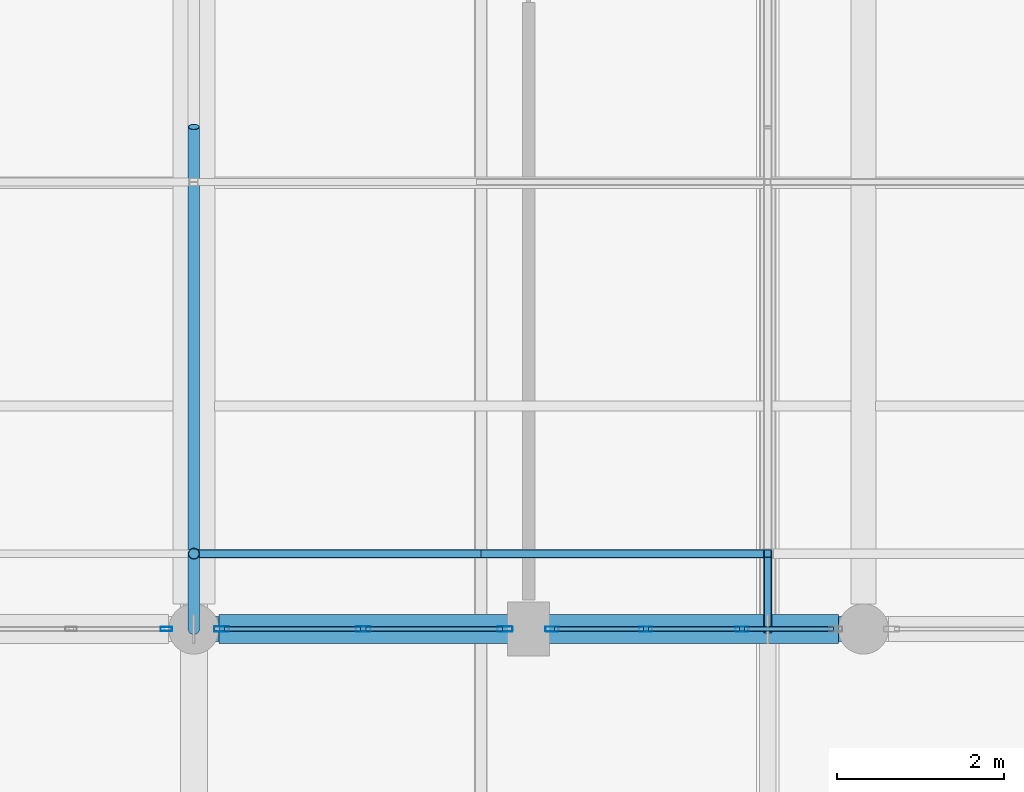
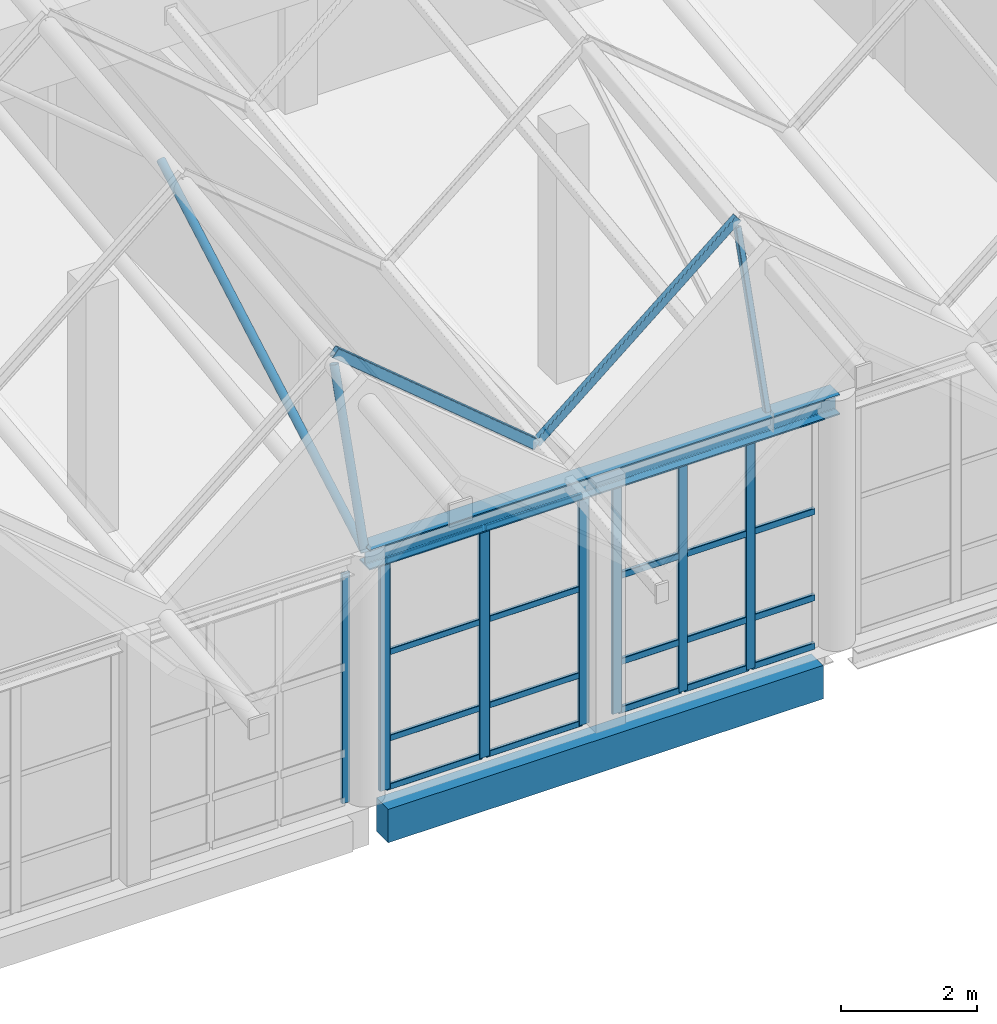
# One storey, part 73 of 183: 32 members, 2 beams, 3 elements without a shape of their own.
"""IFC4 building model written with IfcOpenShell, lengths in metres."""

from ifc_helpers import new_model, si_unit, direction, frame, origin, origin_2d, place, context, subcontext, project, spatial, rectangle, hollow_rectangle, hollow_circle, i_section, extrude, material, material_profile, profile_set, type_object, element, aggregate, save


model = new_model("IFC4")

# Units and contexts
model_context = context("Model", 3, precision=1e-05, world=origin(), true_north=direction((0.0, 1.0)))
body_context = subcontext(model_context, "Body", "Model", "MODEL_VIEW")
ifc_project = project(units=[si_unit("LENGTHUNIT", "METRE"), si_unit("AREAUNIT", "SQUARE_METRE"), si_unit("VOLUMEUNIT", "CUBIC_METRE"), si_unit("PLANEANGLEUNIT", "RADIAN"), si_unit("MASSUNIT", "GRAM", prefix="KILO")], contexts=[model_context])

# Site, building, storey
site_placement = place(None, origin())
site = spatial("IfcSite", under=ifc_project, at=site_placement, CompositionType="ELEMENT")
building_placement = place(site_placement, origin())
building = spatial("IfcBuilding", under=site, at=building_placement, Name="Luwemba Playhouse", CompositionType="ELEMENT")
storey_placement = place(building_placement, frame((0.0, 0.0, 4.800048828125)))
storey = spatial("IfcBuildingStorey", under=building, at=storey_placement, Name="L01", CompositionType="ELEMENT", Elevation=4.800048828125)

# Beams
ifc_material_1 = material(Name="Steel S355", Category="steel")
ifc_material_profile_1 = material_profile(ifc_material_1, i_section(OverallWidth=0.300048828125, OverallDepth=0.360107421875, WebThickness=0.012451171875, FlangeThickness=0.0224609375, FilletRadius=0.027099609375, at=origin_2d()))
ifc_profile_set_1 = profile_set([ifc_material_profile_1], Name="Steel S355")
beam_type_1 = type_object("IfcBeamType", Name="BM-SB09", PredefinedType="BEAM", material=ifc_profile_set_1)
beam_1_placement = place(storey_placement, frame((148.0, 3.0, 4.320068359375), z_axis=(1.0, 0.0, 0.0), x_axis=(0.0, 1.0, 0.0)))
element("IfcBeam", 1, at=beam_1_placement, inside=storey, type_object=beam_type_1, Name="RF-V5E eave ring beam 0294", PredefinedType="BEAM", context=body_context, shape_type="SweptSolid", body=[
    extrude(i_section(OverallWidth=0.300048828125, OverallDepth=0.360107421875, WebThickness=0.012451171875, FlangeThickness=0.0224609375, FilletRadius=0.027099609375, at=origin_2d()), origin(), (0.0, 0.0, 1.0), 8.0),
])
ifc_material_2 = material(Name="Concrete C40/50", Category="concrete")
ifc_material_profile_2 = material_profile(ifc_material_2, rectangle(XDim=0.35009765625, YDim=0.60009765625, at=origin_2d()))
ifc_profile_set_2 = profile_set([ifc_material_profile_2], Name="Concrete C40/50")
beam_type_2 = type_object("IfcBeamType", Name="BM-SP3", PredefinedType="SPANDREL", material=ifc_profile_set_2)
beam_2_placement = place(storey_placement, frame((148.300048828125, 3.0, -0.550048828125), z_axis=(1.0, 0.0, 0.0), x_axis=(0.0, 1.0, 0.0)))
element("IfcBeam", 2, at=beam_2_placement, inside=storey, type_object=beam_type_2, Name="L01 grid girder 0522", PredefinedType="SPANDREL", context=body_context, shape_type="SweptSolid", body=[
    extrude(rectangle(XDim=0.35009765625, YDim=0.60009765625, at=origin_2d()), origin(), (0.0, 0.0, 1.0), 7.39990234375),
])

# Curtain wall, members
ifc_material_3 = material(Name="Solar-control double glazing", Category="glass")
curtain_wall_type_1 = type_object("IfcCurtainWallType", Name="CW-CW132", PredefinedType="USERDEFINED", material=ifc_material_3)
curtain_wall_1_placement = place(storey_placement, origin())
curtain_wall_1 = element("IfcCurtainWall", 3, at=curtain_wall_1_placement, inside=storey, type_object=curtain_wall_type_1, Name="L01 V5E unitised curtain wall 174", ObjectType="UNITISED GLAZING", PredefinedType="USERDEFINED")
ifc_material_4 = material(Name="Aluminium 6063-T6", Category="aluminium")
ifc_material_profile_3 = material_profile(ifc_material_4, hollow_rectangle(XDim=0.06005859375, YDim=0.159912109375, WallThickness=0.00390625, InnerFilletRadius=0.006103515625, OuterFilletRadius=0.010009765625, at=origin_2d()))
ifc_profile_set_3 = profile_set([ifc_material_profile_3], Name="Aluminium 6063-T6")
member_type_1 = type_object("IfcMemberType", Name="CWM-M1", PredefinedType="MULLION", material=ifc_profile_set_3)
member_1_placement = place(storey_placement, frame((154.550048828125, 3.0, 0.0), z_axis=(0.0, 0.0, 1.0), x_axis=(0.0, -1.0, 0.0)))
member_1 = element("IfcMember", 4, at=member_1_placement, type_object=member_type_1, Name="CW132 mullion 2", PredefinedType="MULLION", context=body_context, shape_type="SweptSolid", body=[
    extrude(hollow_rectangle(XDim=0.06005859375, YDim=0.159912109375, WallThickness=0.00390625, InnerFilletRadius=0.006103515625, OuterFilletRadius=0.010009765625, at=origin_2d()), origin(), (0.0, 0.0, 1.0), 4.125),
])
member_2_placement = place(storey_placement, frame((153.39990234375, 3.0, 0.0), z_axis=(0.0, 0.0, 1.0), x_axis=(0.0, -1.0, 0.0)))
member_2 = element("IfcMember", 5, at=member_2_placement, type_object=member_type_1, Name="CW132 mullion 3", PredefinedType="MULLION", context=body_context, shape_type="SweptSolid", body=[
    extrude(hollow_rectangle(XDim=0.06005859375, YDim=0.159912109375, WallThickness=0.00390625, InnerFilletRadius=0.006103515625, OuterFilletRadius=0.010009765625, at=origin_2d()), origin(), (0.0, 0.0, 1.0), 4.125),
])
member_3_placement = place(storey_placement, frame((152.280029296875, 3.0, 0.0), z_axis=(0.0, 0.0, 1.0), x_axis=(0.0, -1.0, 0.0)))
member_3 = element("IfcMember", 6, at=member_3_placement, type_object=member_type_1, Name="CW132 mullion 4", PredefinedType="MULLION", context=body_context, shape_type="SweptSolid", body=[
    extrude(hollow_rectangle(XDim=0.06005859375, YDim=0.159912109375, WallThickness=0.00390625, InnerFilletRadius=0.006103515625, OuterFilletRadius=0.010009765625, at=origin_2d()), origin(), (0.0, 0.0, 1.0), 4.125),
])

curtain_wall_type_2 = type_object("IfcCurtainWallType", Name="CW-CW133", PredefinedType="USERDEFINED", material=ifc_material_3)
curtain_wall_2_placement = place(storey_placement, origin())
curtain_wall_2 = element("IfcCurtainWall", 7, at=curtain_wall_2_placement, inside=storey, type_object=curtain_wall_type_2, Name="L01 V5E unitised curtain wall 175", ObjectType="UNITISED GLAZING", PredefinedType="USERDEFINED")
ifc_material_profile_4 = material_profile(ifc_material_4, hollow_rectangle(XDim=0.06494140625, YDim=0.179931640625, WallThickness=0.00439453125, InnerFilletRadius=0.0068359375, OuterFilletRadius=0.01123046875, at=origin_2d()))
ifc_profile_set_4 = profile_set([ifc_material_profile_4], Name="Aluminium 6063-T6")
member_type_2 = type_object("IfcMemberType", Name="CWM-M2", PredefinedType="MULLION", material=ifc_profile_set_4)
member_4_placement = place(storey_placement, frame((151.717529296875, 3.0, 0.0), z_axis=(0.0, 0.0, 1.0), x_axis=(0.0, -1.0, 0.0)))
member_4 = element("IfcMember", 8, at=member_4_placement, type_object=member_type_2, Name="CW133 mullion 1", PredefinedType="MULLION", context=body_context, shape_type="SweptSolid", body=[
    extrude(hollow_rectangle(XDim=0.06494140625, YDim=0.179931640625, WallThickness=0.00439453125, InnerFilletRadius=0.0068359375, OuterFilletRadius=0.01123046875, at=origin_2d()), origin(), (0.0, 0.0, 1.0), 4.125),
])
member_5_placement = place(storey_placement, frame((150.02490234375, 3.0, 0.0), z_axis=(0.0, 0.0, 1.0), x_axis=(0.0, -1.0, 0.0)))
member_5 = element("IfcMember", 9, at=member_5_placement, type_object=member_type_2, Name="CW133 mullion 2", PredefinedType="MULLION", context=body_context, shape_type="SweptSolid", body=[
    extrude(hollow_rectangle(XDim=0.06494140625, YDim=0.179931640625, WallThickness=0.00439453125, InnerFilletRadius=0.0068359375, OuterFilletRadius=0.01123046875, at=origin_2d()), origin(), (0.0, 0.0, 1.0), 4.125),
])
member_6_placement = place(storey_placement, frame((148.33251953125, 3.0, 0.0), z_axis=(0.0, 0.0, 1.0), x_axis=(0.0, -1.0, 0.0)))
member_6 = element("IfcMember", 10, at=member_6_placement, type_object=member_type_2, Name="CW133 mullion 3", PredefinedType="MULLION", context=body_context, shape_type="SweptSolid", body=[
    extrude(hollow_rectangle(XDim=0.06494140625, YDim=0.179931640625, WallThickness=0.00439453125, InnerFilletRadius=0.0068359375, OuterFilletRadius=0.01123046875, at=origin_2d()), origin(), (0.0, 0.0, 1.0), 4.125),
])

# Curtain wall, member
curtain_wall_type_3 = type_object("IfcCurtainWallType", Name="CW-CW126", PredefinedType="USERDEFINED", material=ifc_material_3)
curtain_wall_3_placement = place(storey_placement, origin())
curtain_wall_3 = element("IfcCurtainWall", 11, at=curtain_wall_3_placement, inside=storey, type_object=curtain_wall_type_3, Name="L01 V5E unitised curtain wall 176", ObjectType="UNITISED GLAZING", PredefinedType="USERDEFINED")
ifc_material_profile_5 = material_profile(ifc_material_4, hollow_rectangle(XDim=0.054931640625, YDim=0.139892578125, WallThickness=0.00390625, InnerFilletRadius=0.006103515625, OuterFilletRadius=0.010009765625, at=origin_2d()))
ifc_profile_set_5 = profile_set([ifc_material_profile_5], Name="Aluminium 6063-T6")
member_type_3 = type_object("IfcMemberType", Name="CWM-M3", PredefinedType="MULLION", material=ifc_profile_set_5)
member_7_placement = place(storey_placement, frame((147.672607421875, 3.0, 0.0), z_axis=(0.0, 0.0, 1.0), x_axis=(0.0, -1.0, 0.0)))
member_7 = element("IfcMember", 12, at=member_7_placement, type_object=member_type_3, Name="CW126 mullion 1", PredefinedType="MULLION", context=body_context, shape_type="SweptSolid", body=[
    extrude(hollow_rectangle(XDim=0.054931640625, YDim=0.139892578125, WallThickness=0.00390625, InnerFilletRadius=0.006103515625, OuterFilletRadius=0.010009765625, at=origin_2d()), origin(), (0.0, 0.0, 1.0), 4.125),
])
aggregate(curtain_wall_3, [member_7])

# Member
ifc_material_profile_6 = material_profile(ifc_material_4, hollow_rectangle(XDim=0.06005859375, YDim=0.1201171875, WallThickness=0.00390625, InnerFilletRadius=0.006103515625, OuterFilletRadius=0.010009765625, at=origin_2d()))
ifc_profile_set_6 = profile_set([ifc_material_profile_6], Name="Aluminium 6063-T6")
member_type_4 = type_object("IfcMemberType", Name="CWT-T1", PredefinedType="USERDEFINED", material=ifc_profile_set_6)
member_8_placement = place(storey_placement, frame((155.639892578125, 3.0, 0.030029296875), z_axis=(-1.0, 0.0, 0.0), x_axis=(0.0, -1.0, 0.0)))
member_8 = element("IfcMember", 13, at=member_8_placement, type_object=member_type_4, Name="CW132 transom 1.1", ObjectType="TRANSOM", PredefinedType="USERDEFINED", context=body_context, shape_type="SweptSolid", body=[
    extrude(hollow_rectangle(XDim=0.06005859375, YDim=0.1201171875, WallThickness=0.00390625, InnerFilletRadius=0.006103515625, OuterFilletRadius=0.010009765625, at=origin_2d()), origin(), (0.0, 0.0, 1.0), 1.059814453125),
])

member_9_placement = place(storey_placement, frame((155.639892578125, 3.0, 0.89990234375), z_axis=(-1.0, 0.0, 0.0), x_axis=(0.0, -1.0, 0.0)))
member_9 = element("IfcMember", 14, at=member_9_placement, type_object=member_type_4, Name="CW132 transom 1.2", ObjectType="TRANSOM", PredefinedType="USERDEFINED", context=body_context, shape_type="SweptSolid", body=[
    extrude(hollow_rectangle(XDim=0.06005859375, YDim=0.1201171875, WallThickness=0.00390625, InnerFilletRadius=0.006103515625, OuterFilletRadius=0.010009765625, at=origin_2d()), origin(), (0.0, 0.0, 1.0), 1.059814453125),
])

member_10_placement = place(storey_placement, frame((155.639892578125, 3.0, 2.449951171875), z_axis=(-1.0, 0.0, 0.0), x_axis=(0.0, -1.0, 0.0)))
member_10 = element("IfcMember", 15, at=member_10_placement, type_object=member_type_4, Name="CW132 transom 1.3", ObjectType="TRANSOM", PredefinedType="USERDEFINED", context=body_context, shape_type="SweptSolid", body=[
    extrude(hollow_rectangle(XDim=0.06005859375, YDim=0.1201171875, WallThickness=0.00390625, InnerFilletRadius=0.006103515625, OuterFilletRadius=0.010009765625, at=origin_2d()), origin(), (0.0, 0.0, 1.0), 1.059814453125),
])

member_11_placement = place(storey_placement, frame((155.639892578125, 3.0, 4.094970703125), z_axis=(-1.0, 0.0, 0.0), x_axis=(0.0, -1.0, 0.0)))
member_11 = element("IfcMember", 16, at=member_11_placement, type_object=member_type_4, Name="CW132 transom 1.4", ObjectType="TRANSOM", PredefinedType="USERDEFINED", context=body_context, shape_type="SweptSolid", body=[
    extrude(hollow_rectangle(XDim=0.06005859375, YDim=0.1201171875, WallThickness=0.00390625, InnerFilletRadius=0.006103515625, OuterFilletRadius=0.010009765625, at=origin_2d()), origin(), (0.0, 0.0, 1.0), 1.059814453125),
])

member_12_placement = place(storey_placement, frame((154.52001953125, 3.0, 0.030029296875), z_axis=(-1.0, 0.0, 0.0), x_axis=(0.0, -1.0, 0.0)))
member_12 = element("IfcMember", 17, at=member_12_placement, type_object=member_type_4, Name="CW132 transom 2.1", ObjectType="TRANSOM", PredefinedType="USERDEFINED", context=body_context, shape_type="SweptSolid", body=[
    extrude(hollow_rectangle(XDim=0.06005859375, YDim=0.1201171875, WallThickness=0.00390625, InnerFilletRadius=0.006103515625, OuterFilletRadius=0.010009765625, at=origin_2d()), origin(), (0.0, 0.0, 1.0), 1.090087890625),
])

member_13_placement = place(storey_placement, frame((154.52001953125, 3.0, 0.89990234375), z_axis=(-1.0, 0.0, 0.0), x_axis=(0.0, -1.0, 0.0)))
member_13 = element("IfcMember", 18, at=member_13_placement, type_object=member_type_4, Name="CW132 transom 2.2", ObjectType="TRANSOM", PredefinedType="USERDEFINED", context=body_context, shape_type="SweptSolid", body=[
    extrude(hollow_rectangle(XDim=0.06005859375, YDim=0.1201171875, WallThickness=0.00390625, InnerFilletRadius=0.006103515625, OuterFilletRadius=0.010009765625, at=origin_2d()), origin(), (0.0, 0.0, 1.0), 1.090087890625),
])

member_14_placement = place(storey_placement, frame((154.52001953125, 3.0, 2.449951171875), z_axis=(-1.0, 0.0, 0.0), x_axis=(0.0, -1.0, 0.0)))
member_14 = element("IfcMember", 19, at=member_14_placement, type_object=member_type_4, Name="CW132 transom 2.3", ObjectType="TRANSOM", PredefinedType="USERDEFINED", context=body_context, shape_type="SweptSolid", body=[
    extrude(hollow_rectangle(XDim=0.06005859375, YDim=0.1201171875, WallThickness=0.00390625, InnerFilletRadius=0.006103515625, OuterFilletRadius=0.010009765625, at=origin_2d()), origin(), (0.0, 0.0, 1.0), 1.090087890625),
])

member_15_placement = place(storey_placement, frame((154.52001953125, 3.0, 4.094970703125), z_axis=(-1.0, 0.0, 0.0), x_axis=(0.0, -1.0, 0.0)))
member_15 = element("IfcMember", 20, at=member_15_placement, type_object=member_type_4, Name="CW132 transom 2.4", ObjectType="TRANSOM", PredefinedType="USERDEFINED", context=body_context, shape_type="SweptSolid", body=[
    extrude(hollow_rectangle(XDim=0.06005859375, YDim=0.1201171875, WallThickness=0.00390625, InnerFilletRadius=0.006103515625, OuterFilletRadius=0.010009765625, at=origin_2d()), origin(), (0.0, 0.0, 1.0), 1.090087890625),
])

member_16_placement = place(storey_placement, frame((153.3701171875, 3.0, 0.030029296875), z_axis=(-1.0, 0.0, 0.0), x_axis=(0.0, -1.0, 0.0)))
member_16 = element("IfcMember", 21, at=member_16_placement, type_object=member_type_4, Name="CW132 transom 3.1", ObjectType="TRANSOM", PredefinedType="USERDEFINED", context=body_context, shape_type="SweptSolid", body=[
    extrude(hollow_rectangle(XDim=0.06005859375, YDim=0.1201171875, WallThickness=0.00390625, InnerFilletRadius=0.006103515625, OuterFilletRadius=0.010009765625, at=origin_2d()), origin(), (0.0, 0.0, 1.0), 1.06005859375),
])

member_17_placement = place(storey_placement, frame((153.3701171875, 3.0, 0.89990234375), z_axis=(-1.0, 0.0, 0.0), x_axis=(0.0, -1.0, 0.0)))
member_17 = element("IfcMember", 22, at=member_17_placement, type_object=member_type_4, Name="CW132 transom 3.2", ObjectType="TRANSOM", PredefinedType="USERDEFINED", context=body_context, shape_type="SweptSolid", body=[
    extrude(hollow_rectangle(XDim=0.06005859375, YDim=0.1201171875, WallThickness=0.00390625, InnerFilletRadius=0.006103515625, OuterFilletRadius=0.010009765625, at=origin_2d()), origin(), (0.0, 0.0, 1.0), 1.06005859375),
])

member_18_placement = place(storey_placement, frame((153.3701171875, 3.0, 2.449951171875), z_axis=(-1.0, 0.0, 0.0), x_axis=(0.0, -1.0, 0.0)))
member_18 = element("IfcMember", 23, at=member_18_placement, type_object=member_type_4, Name="CW132 transom 3.3", ObjectType="TRANSOM", PredefinedType="USERDEFINED", context=body_context, shape_type="SweptSolid", body=[
    extrude(hollow_rectangle(XDim=0.06005859375, YDim=0.1201171875, WallThickness=0.00390625, InnerFilletRadius=0.006103515625, OuterFilletRadius=0.010009765625, at=origin_2d()), origin(), (0.0, 0.0, 1.0), 1.06005859375),
])

member_19_placement = place(storey_placement, frame((153.3701171875, 3.0, 4.094970703125), z_axis=(-1.0, 0.0, 0.0), x_axis=(0.0, -1.0, 0.0)))
member_19 = element("IfcMember", 24, at=member_19_placement, type_object=member_type_4, Name="CW132 transom 3.4", ObjectType="TRANSOM", PredefinedType="USERDEFINED", context=body_context, shape_type="SweptSolid", body=[
    extrude(hollow_rectangle(XDim=0.06005859375, YDim=0.1201171875, WallThickness=0.00390625, InnerFilletRadius=0.006103515625, OuterFilletRadius=0.010009765625, at=origin_2d()), origin(), (0.0, 0.0, 1.0), 1.06005859375),
])

aggregate(curtain_wall_1, [member_1, member_2, member_3, member_8, member_9, member_10, member_11, member_12, member_13, member_14, member_15, member_16, member_17, member_18, member_19])

ifc_material_profile_7 = material_profile(ifc_material_4, hollow_rectangle(XDim=0.054931640625, YDim=0.110107421875, WallThickness=0.00341796875, InnerFilletRadius=0.00537109375, OuterFilletRadius=0.0087890625, at=origin_2d()))
ifc_profile_set_7 = profile_set([ifc_material_profile_7], Name="Aluminium 6063-T6")
member_type_5 = type_object("IfcMemberType", Name="CWT-T2", PredefinedType="USERDEFINED", material=ifc_profile_set_7)
member_20_placement = place(storey_placement, frame((151.68505859375, 3.0, 0.02734375), z_axis=(-1.0, 0.0, 0.0), x_axis=(0.0, -1.0, 0.0)))
member_20 = element("IfcMember", 25, at=member_20_placement, type_object=member_type_5, Name="CW133 transom 1.1", ObjectType="TRANSOM", PredefinedType="USERDEFINED", context=body_context, shape_type="SweptSolid", body=[
    extrude(hollow_rectangle(XDim=0.054931640625, YDim=0.110107421875, WallThickness=0.00341796875, InnerFilletRadius=0.00537109375, OuterFilletRadius=0.0087890625, at=origin_2d()), origin(), (0.0, 0.0, 1.0), 1.62744140625),
])

member_21_placement = place(storey_placement, frame((151.68505859375, 3.0, 0.89990234375), z_axis=(-1.0, 0.0, 0.0), x_axis=(0.0, -1.0, 0.0)))
member_21 = element("IfcMember", 26, at=member_21_placement, type_object=member_type_5, Name="CW133 transom 1.2", ObjectType="TRANSOM", PredefinedType="USERDEFINED", context=body_context, shape_type="SweptSolid", body=[
    extrude(hollow_rectangle(XDim=0.054931640625, YDim=0.110107421875, WallThickness=0.00341796875, InnerFilletRadius=0.00537109375, OuterFilletRadius=0.0087890625, at=origin_2d()), origin(), (0.0, 0.0, 1.0), 1.62744140625),
])

member_22_placement = place(storey_placement, frame((151.68505859375, 3.0, 2.449951171875), z_axis=(-1.0, 0.0, 0.0), x_axis=(0.0, -1.0, 0.0)))
member_22 = element("IfcMember", 27, at=member_22_placement, type_object=member_type_5, Name="CW133 transom 1.3", ObjectType="TRANSOM", PredefinedType="USERDEFINED", context=body_context, shape_type="SweptSolid", body=[
    extrude(hollow_rectangle(XDim=0.054931640625, YDim=0.110107421875, WallThickness=0.00341796875, InnerFilletRadius=0.00537109375, OuterFilletRadius=0.0087890625, at=origin_2d()), origin(), (0.0, 0.0, 1.0), 1.62744140625),
])

member_23_placement = place(storey_placement, frame((151.68505859375, 3.0, 4.097412109375), z_axis=(-1.0, 0.0, 0.0), x_axis=(0.0, -1.0, 0.0)))
member_23 = element("IfcMember", 28, at=member_23_placement, type_object=member_type_5, Name="CW133 transom 1.4", ObjectType="TRANSOM", PredefinedType="USERDEFINED", context=body_context, shape_type="SweptSolid", body=[
    extrude(hollow_rectangle(XDim=0.054931640625, YDim=0.110107421875, WallThickness=0.00341796875, InnerFilletRadius=0.00537109375, OuterFilletRadius=0.0087890625, at=origin_2d()), origin(), (0.0, 0.0, 1.0), 1.62744140625),
])

member_24_placement = place(storey_placement, frame((149.992431640625, 3.0, 0.02734375), z_axis=(-1.0, 0.0, 0.0), x_axis=(0.0, -1.0, 0.0)))
member_24 = element("IfcMember", 29, at=member_24_placement, type_object=member_type_5, Name="CW133 transom 2.1", ObjectType="TRANSOM", PredefinedType="USERDEFINED", context=body_context, shape_type="SweptSolid", body=[
    extrude(hollow_rectangle(XDim=0.054931640625, YDim=0.110107421875, WallThickness=0.00341796875, InnerFilletRadius=0.00537109375, OuterFilletRadius=0.0087890625, at=origin_2d()), origin(), (0.0, 0.0, 1.0), 1.62744140625),
])

member_25_placement = place(storey_placement, frame((149.992431640625, 3.0, 0.89990234375), z_axis=(-1.0, 0.0, 0.0), x_axis=(0.0, -1.0, 0.0)))
member_25 = element("IfcMember", 30, at=member_25_placement, type_object=member_type_5, Name="CW133 transom 2.2", ObjectType="TRANSOM", PredefinedType="USERDEFINED", context=body_context, shape_type="SweptSolid", body=[
    extrude(hollow_rectangle(XDim=0.054931640625, YDim=0.110107421875, WallThickness=0.00341796875, InnerFilletRadius=0.00537109375, OuterFilletRadius=0.0087890625, at=origin_2d()), origin(), (0.0, 0.0, 1.0), 1.62744140625),
])

member_26_placement = place(storey_placement, frame((149.992431640625, 3.0, 2.449951171875), z_axis=(-1.0, 0.0, 0.0), x_axis=(0.0, -1.0, 0.0)))
member_26 = element("IfcMember", 31, at=member_26_placement, type_object=member_type_5, Name="CW133 transom 2.3", ObjectType="TRANSOM", PredefinedType="USERDEFINED", context=body_context, shape_type="SweptSolid", body=[
    extrude(hollow_rectangle(XDim=0.054931640625, YDim=0.110107421875, WallThickness=0.00341796875, InnerFilletRadius=0.00537109375, OuterFilletRadius=0.0087890625, at=origin_2d()), origin(), (0.0, 0.0, 1.0), 1.62744140625),
])

member_27_placement = place(storey_placement, frame((149.992431640625, 3.0, 4.097412109375), z_axis=(-1.0, 0.0, 0.0), x_axis=(0.0, -1.0, 0.0)))
member_27 = element("IfcMember", 32, at=member_27_placement, type_object=member_type_5, Name="CW133 transom 2.4", ObjectType="TRANSOM", PredefinedType="USERDEFINED", context=body_context, shape_type="SweptSolid", body=[
    extrude(hollow_rectangle(XDim=0.054931640625, YDim=0.110107421875, WallThickness=0.00341796875, InnerFilletRadius=0.00537109375, OuterFilletRadius=0.0087890625, at=origin_2d()), origin(), (0.0, 0.0, 1.0), 1.62744140625),
])

aggregate(curtain_wall_2, [member_4, member_5, member_6, member_20, member_21, member_22, member_23, member_24, member_25, member_26, member_27])

# Members
ifc_material_profile_8 = material_profile(ifc_material_1, hollow_circle(Radius=0.06982421875, WallThickness=0.008056640625, at=origin_2d()))
ifc_profile_set_8 = profile_set([ifc_material_profile_8], Name="Steel S355")
member_type_6 = type_object("IfcMemberType", Name="MEM-MB01", PredefinedType="BRACE", material=ifc_profile_set_8)
member_28_placement = place(storey_placement, frame((148.0, 3.0, 4.39990234375), z_axis=(0.0, 0.870468489249, 0.492224145308), x_axis=(-1.0, 0.0, 0.0)))
element("IfcMember", 33, at=member_28_placement, inside=storey, type_object=member_type_6, Name="ROOF TRUSS web diagonal 0285", PredefinedType="BRACE", context=body_context, shape_type="SweptSolid", body=[
    extrude(hollow_circle(Radius=0.06982421875, WallThickness=0.008056640625, at=origin_2d()), origin(), (0.0, 0.0, 1.0), 6.892822265625),
])
member_29_placement = place(storey_placement, frame((148.0, 3.0, 4.39990234375), z_axis=(0.0, 0.303860291907, 0.95271660162), x_axis=(-1.0, 0.0, 0.0)))
element("IfcMember", 34, at=member_29_placement, inside=storey, type_object=member_type_6, Name="ROOF TRUSS eave knee strut 0078", PredefinedType="BRACE", context=body_context, shape_type="SweptSolid", body=[
    extrude(hollow_circle(Radius=0.06982421875, WallThickness=0.008056640625, at=origin_2d()), origin(), (0.0, 0.0, 1.0), 2.961669921875),
])
ifc_material_profile_9 = material_profile(ifc_material_1, hollow_rectangle(XDim=0.10009765625, YDim=0.10009765625, WallThickness=0.00634765625, InnerFilletRadius=0.009521484375, OuterFilletRadius=0.015869140625, at=origin_2d()))
ifc_profile_set_9 = profile_set([ifc_material_profile_9], Name="Steel S355")
member_type_7 = type_object("IfcMemberType", Name="MEM-MB05", PredefinedType="BRACE", material=ifc_profile_set_9)
member_30_placement = place(storey_placement, frame((154.857177734375, 3.0, 4.39990234375), z_axis=(0.0, 0.297773567403, 0.954636529029), x_axis=(-1.0, 0.0, 0.0)))
element("IfcMember", 35, at=member_30_placement, inside=storey, type_object=member_type_7, Name="ROOF TRUSS eave knee strut 0080", PredefinedType="BRACE", context=body_context, shape_type="SweptSolid", body=[
    extrude(hollow_rectangle(XDim=0.10009765625, YDim=0.10009765625, WallThickness=0.00634765625, InnerFilletRadius=0.009521484375, OuterFilletRadius=0.015869140625, at=origin_2d()), origin(), (0.0, 0.0, 1.0), 3.022216796875),
])
ifc_material_profile_10 = material_profile(ifc_material_1, hollow_rectangle(XDim=0.10009765625, YDim=0.14990234375, WallThickness=0.008056640625, InnerFilletRadius=0.011962890625, OuterFilletRadius=0.02001953125, at=origin_2d()))
ifc_profile_set_10 = profile_set([ifc_material_profile_10], Name="Steel S355")
member_type_8 = type_object("IfcMemberType", Name="MEM-MP02", PredefinedType="PURLIN", material=ifc_profile_set_10)
member_31_placement = place(storey_placement, frame((151.4287109375, 3.89990234375, 4.593994140625), z_axis=(0.768342353216, 0.0, 0.640039083381), x_axis=(0.0, 1.0, 0.0)))
element("IfcMember", 36, at=member_31_placement, inside=storey, type_object=member_type_8, Name="Pleated roof purlin 0577", PredefinedType="PURLIN", context=body_context, shape_type="SweptSolid", body=[
    extrude(hollow_rectangle(XDim=0.10009765625, YDim=0.14990234375, WallThickness=0.008056640625, InnerFilletRadius=0.011962890625, OuterFilletRadius=0.02001953125, at=origin_2d()), origin(), (0.0, 0.0, 1.0), 4.462158203125),
])
ifc_material_profile_11 = material_profile(ifc_material_1, hollow_rectangle(XDim=0.10009765625, YDim=0.179931640625, WallThickness=0.008056640625, InnerFilletRadius=0.011962890625, OuterFilletRadius=0.02001953125, at=origin_2d()))
ifc_profile_set_11 = profile_set([ifc_material_profile_11], Name="Steel S355")
member_type_9 = type_object("IfcMemberType", Name="MEM-MP04", PredefinedType="PURLIN", material=ifc_profile_set_11)
member_32_placement = place(storey_placement, frame((148.0, 3.89990234375, 7.43505859375), z_axis=(0.768337860515, 0.0, -0.640044476657), x_axis=(0.0, 1.0, 0.0)))
element("IfcMember", 37, at=member_32_placement, inside=storey, type_object=member_type_9, Name="Pleated roof purlin 0571", PredefinedType="PURLIN", context=body_context, shape_type="SweptSolid", body=[
    extrude(hollow_rectangle(XDim=0.10009765625, YDim=0.179931640625, WallThickness=0.008056640625, InnerFilletRadius=0.011962890625, OuterFilletRadius=0.02001953125, at=origin_2d()), origin(), (0.0, 0.0, 1.0), 4.46240234375),
])

save(model, "model.ifc")
